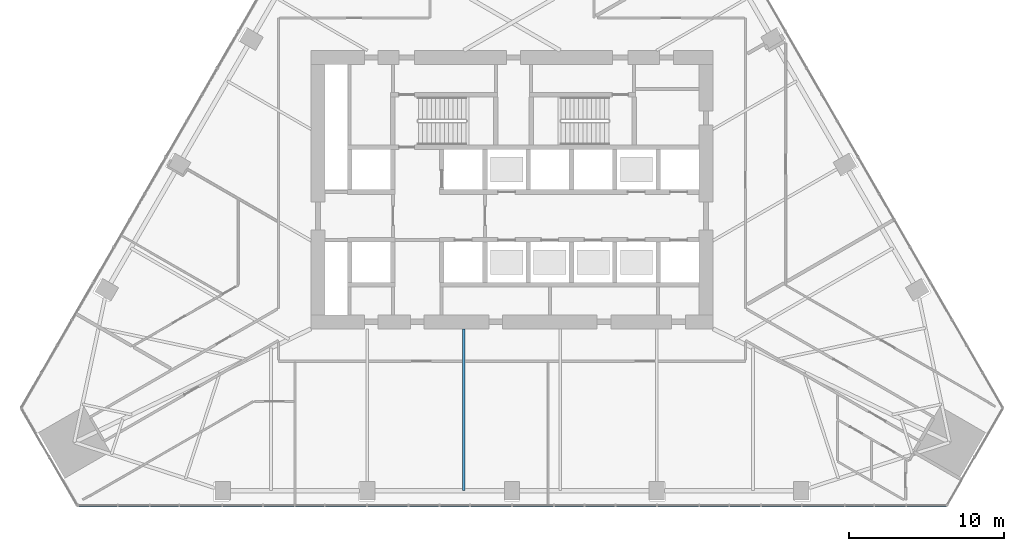
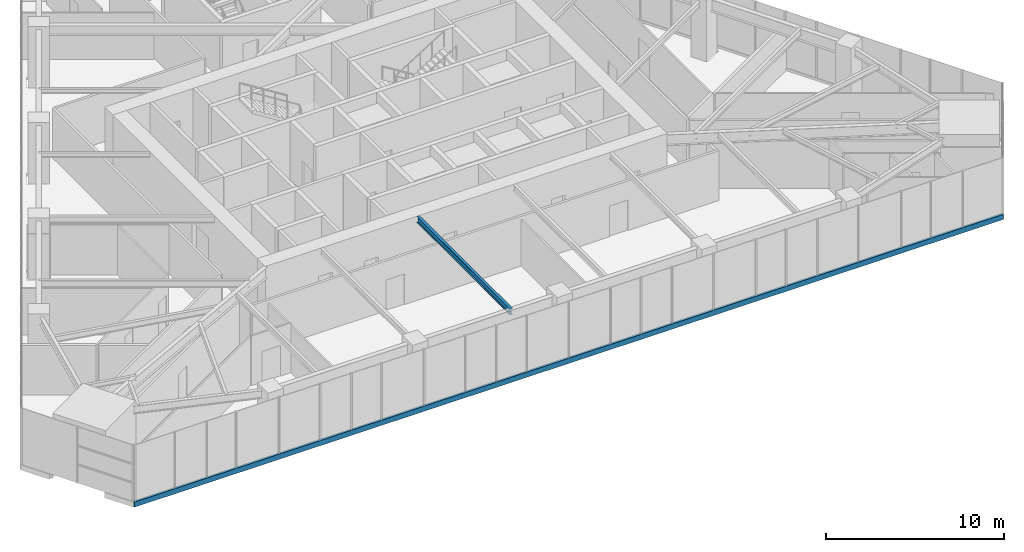
# One storey, part 3 of 19: 1 beam, 1 member, 1 element without a shape of its own.
"""IFC4 building model written with IfcOpenShell, lengths in metres."""

from ifc_helpers import new_model, si_unit, direction, frame, origin, origin_2d, place, context, subcontext, project, spatial, rectangle, i_section, extrude, material, layer, layer_set, material_profile, profile_set, type_object, element, aggregate, save


model = new_model("IFC4")

# Units and contexts
model_context = context("Model", 3, precision=1e-05, world=origin(), true_north=direction((0.0, 1.0)))
body_context = subcontext(model_context, "Body", "Model", "MODEL_VIEW")
ifc_project = project(units=[si_unit("LENGTHUNIT", "METRE"), si_unit("AREAUNIT", "SQUARE_METRE"), si_unit("VOLUMEUNIT", "CUBIC_METRE"), si_unit("PLANEANGLEUNIT", "RADIAN"), si_unit("MASSUNIT", "GRAM", prefix="KILO")], contexts=[model_context])

# Site, building, storey
site_placement = place(None, origin())
site = spatial("IfcSite", under=ifc_project, at=site_placement, CompositionType="ELEMENT")
building_placement = place(site_placement, origin())
building = spatial("IfcBuilding", under=site, at=building_placement, Name="Firuza Gate Tower and Library", CompositionType="ELEMENT")
storey_placement = place(building_placement, frame((0.0, 0.0, 103.0)))
storey = spatial("IfcBuildingStorey", under=building, at=storey_placement, Name="L23", CompositionType="ELEMENT", Elevation=103.0)

# Curtain wall, member
ifc_material_1 = material(Name="Aluminium 6063-T6", Category="aluminium")
ifc_layer = layer(ifc_material_1, 0.14990234375)
ifc_layer_set = layer_set([ifc_layer], Name="Unitised curtain wall, offices")
curtain_wall_type = type_object("IfcCurtainWallType", Name="Unitised curtain wall, offices", PredefinedType="NOTDEFINED", material=ifc_layer_set)
curtain_wall_placement = place(storey_placement, origin())
curtain_wall = element("IfcCurtainWall", 1, at=curtain_wall_placement, inside=storey, type_object=curtain_wall_type, Name="CW1 L23 S face", PredefinedType="NOTDEFINED")
ifc_material_2 = material(Name="Aluminium 6063-T6", Category="aluminium")
ifc_material_profile_1 = material_profile(ifc_material_2, rectangle(XDim=0.14990234375, YDim=0.35009765625, at=origin_2d()))
ifc_profile_set_1 = profile_set([ifc_material_profile_1], Name="Aluminium 6063-T6")
member_type = type_object("IfcMemberType", Name="Curtain wall transom 350x150", PredefinedType="USERDEFINED", material=ifc_profile_set_1)
member_placement = place(storey_placement, frame((46.89404296875, 54.566162109375, -0.02490234375), z_axis=(1.0, 0.0, 0.0), x_axis=(0.0, 1.0, 0.0)))
member = element("IfcMember", 2, at=member_placement, type_object=member_type, Name="Transom", ObjectType="TRANSOM", PredefinedType="USERDEFINED", context=body_context, shape_type="SweptSolid", body=[
    extrude(rectangle(XDim=0.14990234375, YDim=0.35009765625, at=origin_2d()), origin(), (0.0, 0.0, 1.0), 56.2119140625),
])
aggregate(curtain_wall, [member])

# Beam
ifc_material_3 = material(Name="Steel S355", Category="steel")
ifc_material_profile_2 = material_profile(ifc_material_3, i_section(OverallWidth=0.177978515625, OverallDepth=0.406982421875, WebThickness=0.0078125, FlangeThickness=0.0126953125, at=origin_2d()))
ifc_profile_set_2 = profile_set([ifc_material_profile_2], Name="Steel S355")
beam_type = type_object("IfcBeamType", Name="W410x60 Floor beam", PredefinedType="JOIST", material=ifc_profile_set_2)
beam_placement = place(storey_placement, frame((71.8818359375, 55.541015625, 3.79638671875), z_axis=(0.0, 1.0, 0.0), x_axis=(-1.0, 0.0, 0.0)))
element("IfcBeam", 3, at=beam_placement, inside=storey, type_object=beam_type, Name="Floor beam L23 s22", PredefinedType="JOIST", context=body_context, shape_type="SweptSolid", body=[
    extrude(i_section(OverallWidth=0.177978515625, OverallDepth=0.406982421875, WebThickness=0.0078125, FlangeThickness=0.0126953125, at=origin_2d()), origin(), (0.0, 0.0, 1.0), 10.458984375),
])

save(model, "model.ifc")
